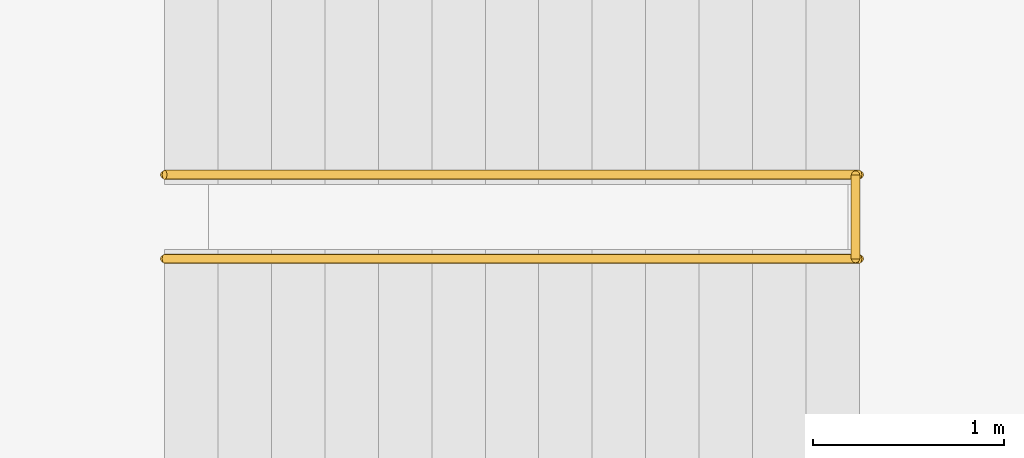
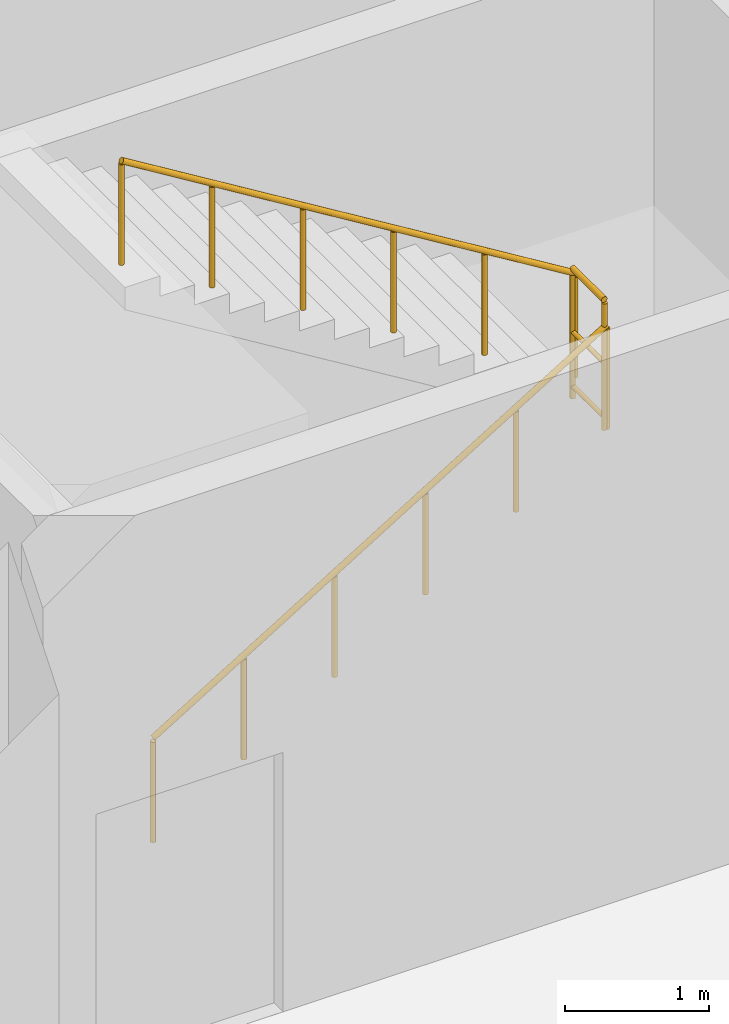
# One storey, part 94 of 95: 3 railings.
"""IFC4 building model written with IfcOpenShell, lengths in metres."""

from ifc_helpers import new_model, si_unit, direction, frame, origin, origin_2d, place, context, subcontext, project, spatial, circle, extrude, material, type_object, element, save


model = new_model("IFC4")

# Units and contexts
model_context = context("Model", 3, precision=1e-05, world=origin(), true_north=direction((0.0, 1.0)))
body_context = subcontext(model_context, "Body", "Model", "MODEL_VIEW")
ifc_project = project(units=[si_unit("LENGTHUNIT", "METRE"), si_unit("AREAUNIT", "SQUARE_METRE"), si_unit("VOLUMEUNIT", "CUBIC_METRE"), si_unit("PLANEANGLEUNIT", "RADIAN"), si_unit("MASSUNIT", "GRAM", prefix="KILO")], contexts=[model_context])

# Site, building, storey
site_placement = place(None, origin())
site = spatial("IfcSite", under=ifc_project, at=site_placement, CompositionType="ELEMENT")
building_placement = place(site_placement, origin())
building = spatial("IfcBuilding", under=site, at=building_placement, Name="Vireocrest Preparatory School", CompositionType="ELEMENT")
storey_placement = place(building_placement, origin())
storey = spatial("IfcBuildingStorey", under=building, at=storey_placement, Name="L00", CompositionType="ELEMENT", Elevation=0.0)

# Railings
ifc_material = material(Name="Brushed stainless steel AISI 316", Category="steel")
railing_type_1 = type_object("IfcRailingType", Name="Post-and-Rail Guard Balustrade 1120", PredefinedType="BALUSTRADE", material=ifc_material)
railing_1_placement = place(storey_placement, frame((132.0, 20.030029296875, 2.39990234375)))
element("IfcRailing", 1, at=railing_1_placement, inside=storey, type_object=railing_type_1, Name="Half-Landing Well Guard ST6-L00", PredefinedType="BALUSTRADE", context=body_context, shape_type="SweptSolid", body=[
    extrude(circle(Radius=0.02392578125, at=origin_2d()), frame((0.0, 0.0, 1.09619140625), z_axis=(0.0, 1.0, 0.0), x_axis=(-1.0, 0.0, 0.0)), (0.0, 0.0, 1.0), 0.43994140625),
    extrude(circle(Radius=0.01806640625, at=origin_2d()), frame((0.0, 0.0, 0.56005859375), z_axis=(0.0, 1.0, 0.0), x_axis=(-1.0, 0.0, 0.0)), (0.0, 0.0, 1.0), 0.43994140625),
    extrude(circle(Radius=0.01806640625, at=origin_2d()), frame((0.0, 0.0, 0.10009765625), z_axis=(0.0, 1.0, 0.0), x_axis=(-1.0, 0.0, 0.0)), (0.0, 0.0, 1.0), 0.43994140625),
    extrude(circle(Radius=0.02099609375, at=origin_2d()), origin(), (0.0, 0.0, 1.0), 1.072021484375),
    extrude(circle(Radius=0.02099609375, at=origin_2d()), frame((0.0, 0.43994140625, 0.0)), (0.0, 0.0, 1.0), 1.072021484375),
])
railing_type_2 = type_object("IfcRailingType", Name="Stair Pitch Handrail 900", PredefinedType="HANDRAIL", material=ifc_material)
railing_2_placement = place(storey_placement, frame((128.3798828125, 20.030029296875, 0.17138671875)))
element("IfcRailing", 2, at=railing_2_placement, inside=storey, type_object=railing_type_2, Name="Stair Handrail ST6-L00-HR1", PredefinedType="HANDRAIL", context=body_context, shape_type="SweptSolid", body=[
    extrude(circle(Radius=0.02392578125, at=origin_2d()), frame((0.0, 0.0, 0.8759765625), z_axis=(0.852865859571, 0.0, 0.52213008492), x_axis=(0.0, 1.0, 0.0)), (0.0, 0.0, 1.0), 4.26806640625),
    extrude(circle(Radius=0.02099609375, at=origin_2d()), origin(), (0.0, 0.0, 1.0), 0.851806640625),
    extrude(circle(Radius=0.02099609375, at=origin_2d()), frame((0.72802734375, 0.0, 0.44580078125)), (0.0, 0.0, 1.0), 0.851806640625),
    extrude(circle(Radius=0.02099609375, at=origin_2d()), frame((1.4560546875, 0.0, 0.891357421875)), (0.0, 0.0, 1.0), 0.851806640625),
    extrude(circle(Radius=0.02099609375, at=origin_2d()), frame((2.18408203125, 0.0, 1.337158203125)), (0.0, 0.0, 1.0), 0.851806640625),
    extrude(circle(Radius=0.02099609375, at=origin_2d()), frame((2.912109375, 0.0, 1.78271484375)), (0.0, 0.0, 1.0), 0.851806640625),
    extrude(circle(Radius=0.02099609375, at=origin_2d()), frame((3.64013671875, 0.0, 2.228515625)), (0.0, 0.0, 1.0), 0.851806640625),
])
railing_3_placement = place(storey_placement, frame((132.02001953125, 20.469970703125, 2.5712890625)))
element("IfcRailing", 3, at=railing_3_placement, inside=storey, type_object=railing_type_2, Name="Stair Handrail ST6-L00-HR2", PredefinedType="HANDRAIL", context=body_context, shape_type="SweptSolid", body=[
    extrude(circle(Radius=0.02392578125, at=origin_2d()), frame((0.0, 0.0, 0.8759765625), z_axis=(-0.852840387347, 0.0, 0.522171689878), x_axis=(0.0, -1.0, 0.0)), (0.0, 0.0, 1.0), 4.268310546875),
    extrude(circle(Radius=0.02099609375, at=origin_2d()), origin(), (0.0, 0.0, 1.0), 0.851806640625),
    extrude(circle(Radius=0.02099609375, at=origin_2d()), frame((-0.72802734375, 0.0, 0.44580078125)), (0.0, 0.0, 1.0), 0.851806640625),
    extrude(circle(Radius=0.02099609375, at=origin_2d()), frame((-1.4560546875, 0.0, 0.8916015625)), (0.0, 0.0, 1.0), 0.851806640625),
    extrude(circle(Radius=0.02099609375, at=origin_2d()), frame((-2.18408203125, 0.0, 1.337158203125)), (0.0, 0.0, 1.0), 0.851806640625),
    extrude(circle(Radius=0.02099609375, at=origin_2d()), frame((-2.912109375, 0.0, 1.782958984375)), (0.0, 0.0, 1.0), 0.851806640625),
    extrude(circle(Radius=0.02099609375, at=origin_2d()), frame((-3.64013671875, 0.0, 2.228759765625)), (0.0, 0.0, 1.0), 0.851806640625),
])

save(model, "model.ifc")
